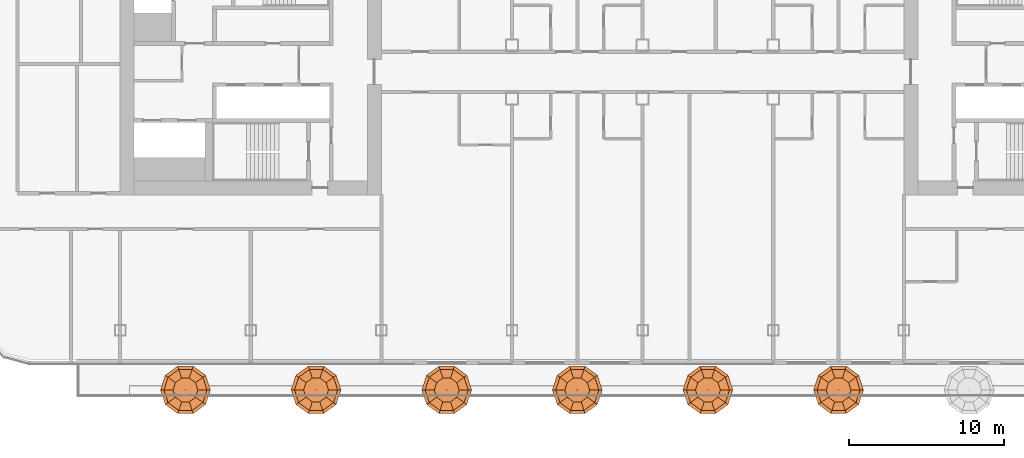
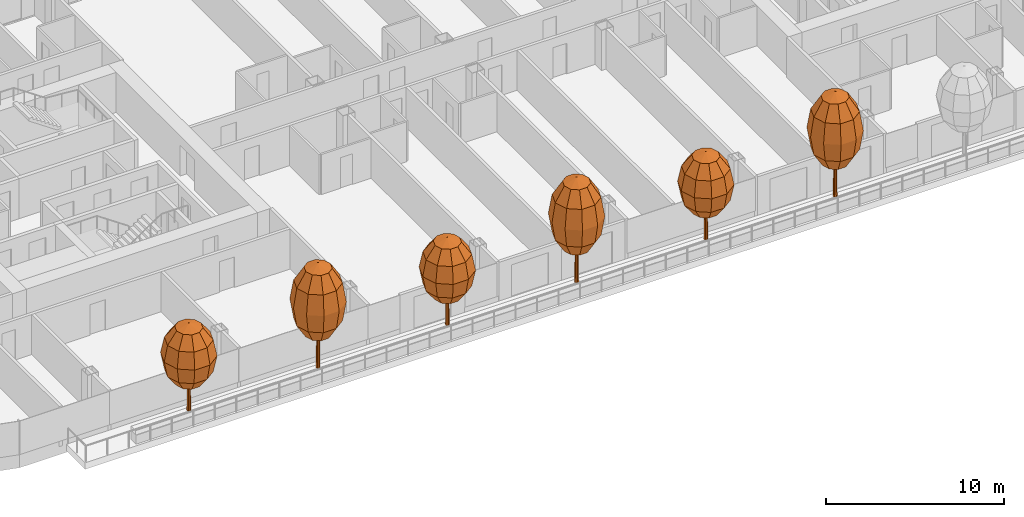
# One storey, part 28 of 30: 6 geographic elements.
"""IFC4 building model written with IfcOpenShell, lengths in metres."""

from ifc_helpers import new_model, si_unit, direction, frame, origin, place, context, subcontext, project, spatial, triangles, material, type_object, element, save


model = new_model("IFC4")

# Units and contexts
model_context = context("Model", 3, precision=1e-05, world=origin(), true_north=direction((0.0, 1.0)))
body_context = subcontext(model_context, "Body", "Model", "MODEL_VIEW")
ifc_project = project(units=[si_unit("LENGTHUNIT", "METRE"), si_unit("AREAUNIT", "SQUARE_METRE"), si_unit("VOLUMEUNIT", "CUBIC_METRE"), si_unit("PLANEANGLEUNIT", "RADIAN"), si_unit("MASSUNIT", "GRAM", prefix="KILO")], contexts=[model_context])

# Site, building, storey
site_placement = place(None, origin())
site = spatial("IfcSite", under=ifc_project, at=site_placement, CompositionType="ELEMENT")
building_placement = place(site_placement, origin())
building = spatial("IfcBuilding", under=site, at=building_placement, Name="Hakoniwa Tower and Hamabe Station Hall", CompositionType="ELEMENT")
storey_placement = place(building_placement, frame((0.0, 0.0, 137.39990234375)))
storey = spatial("IfcBuildingStorey", under=building, at=storey_placement, Name="L38", CompositionType="ELEMENT", Elevation=137.39990234375)

# Geographic elements
ifc_material_1 = material(Name="Tree foliage")
geographic_element_type_1 = type_object("IfcGeographicElementType", Name="Japanese maple 7.2 m", PredefinedType="USERDEFINED", material=ifc_material_1)
geographic_element_1_placement = place(storey_placement, frame((-21.0, -20.949951171875, 0.900146484375)))
element("IfcGeographicElement", 1, at=geographic_element_1_placement, inside=storey, type_object=geographic_element_type_1, Name="Japanese maple 7-2 m", ObjectType="TREE", PredefinedType="USERDEFINED", context=body_context, shape_type="Tessellation", body=[
    triangles([(0.125, 0.0, 0.0), (0.08837890625, 0.08837890625, 0.0), (0.0, 0.125, 0.0), (-0.08837890625, 0.08837890625, 0.0), (-0.125, 0.0, 0.0), (-0.08837890625, -0.08837890625, 0.0), (0.0, -0.125, 0.0), (0.08837890625, -0.08837890625, 0.0), (0.074951171875, 0.0, 4.348876953125), (0.052978515625, 0.052978515625, 4.348876953125), (0.0, 0.074951171875, 4.348876953125), (-0.052978515625, 0.052978515625, 4.348876953125), (-0.074951171875, 0.0, 4.348876953125), (-0.052978515625, -0.052978515625, 4.348876953125), (0.0, -0.074951171875, 4.348876953125), (0.052978515625, -0.052978515625, 4.348876953125), (0.0, 0.0, 0.0), (0.0, 0.0, 4.348876953125)], [[1, 2, 10], [1, 10, 9], [17, 2, 1], [18, 9, 10], [2, 3, 11], [2, 11, 10], [17, 3, 2], [18, 10, 11], [3, 4, 12], [3, 12, 11], [17, 4, 3], [18, 11, 12], [4, 5, 13], [4, 13, 12], [17, 5, 4], [18, 12, 13], [5, 6, 14], [5, 14, 13], [17, 6, 5], [18, 13, 14], [6, 7, 15], [6, 15, 14], [17, 7, 6], [18, 14, 15], [7, 8, 16], [7, 16, 15], [17, 8, 7], [18, 15, 16], [8, 1, 9], [8, 9, 16], [17, 1, 8], [18, 16, 9]], closed=True),
    triangles([(0.0, 0.0, 2.015869140625), (0.800048828125, 0.0, 2.36328125), (0.647216796875, 0.47021484375, 2.36328125), (0.247314453125, 0.7607421875, 2.36328125), (-0.247314453125, 0.7607421875, 2.36328125), (-0.647216796875, 0.47021484375, 2.36328125), (-0.800048828125, 0.0, 2.36328125), (-0.647216796875, -0.47021484375, 2.36328125), (-0.247314453125, -0.7607421875, 2.36328125), (0.247314453125, -0.7607421875, 2.36328125), (0.647216796875, -0.47021484375, 2.36328125), (1.385498046875, 0.0, 3.31201171875), (1.12109375, 0.814453125, 3.31201171875), (0.42822265625, 1.31787109375, 3.31201171875), (-0.42822265625, 1.31787109375, 3.31201171875), (-1.12109375, 0.814453125, 3.31201171875), (-1.385498046875, 0.0, 3.31201171875), (-1.12109375, -0.814453125, 3.31201171875), (-0.42822265625, -1.31787109375, 3.31201171875), (0.42822265625, -1.31787109375, 3.31201171875), (1.12109375, -0.814453125, 3.31201171875), (1.60009765625, 0.0, 4.60791015625), (1.29443359375, 0.9404296875, 4.60791015625), (0.494384765625, 1.521728515625, 4.60791015625), (-0.494384765625, 1.521728515625, 4.60791015625), (-1.29443359375, 0.9404296875, 4.60791015625), (-1.60009765625, 0.0, 4.60791015625), (-1.29443359375, -0.9404296875, 4.60791015625), (-0.494384765625, -1.521728515625, 4.60791015625), (0.494384765625, -1.521728515625, 4.60791015625), (1.29443359375, -0.9404296875, 4.60791015625), (1.385498046875, 0.0, 5.904052734375), (1.12109375, 0.814453125, 5.904052734375), (0.42822265625, 1.31787109375, 5.904052734375), (-0.42822265625, 1.31787109375, 5.904052734375), (-1.12109375, 0.814453125, 5.904052734375), (-1.385498046875, 0.0, 5.904052734375), (-1.12109375, -0.814453125, 5.904052734375), (-0.42822265625, -1.31787109375, 5.904052734375), (0.42822265625, -1.31787109375, 5.904052734375), (1.12109375, -0.814453125, 5.904052734375), (0.800048828125, 0.0, 6.852783203125), (0.647216796875, 0.47021484375, 6.852783203125), (0.247314453125, 0.7607421875, 6.852783203125), (-0.247314453125, 0.7607421875, 6.852783203125), (-0.647216796875, 0.47021484375, 6.852783203125), (-0.800048828125, 0.0, 6.852783203125), (-0.647216796875, -0.47021484375, 6.852783203125), (-0.247314453125, -0.7607421875, 6.852783203125), (0.247314453125, -0.7607421875, 6.852783203125), (0.647216796875, -0.47021484375, 6.852783203125), (0.0, 0.0, 7.199951171875)], [[1, 3, 2], [1, 4, 3], [1, 5, 4], [1, 6, 5], [1, 7, 6], [1, 8, 7], [1, 9, 8], [1, 10, 9], [1, 11, 10], [1, 2, 11], [2, 3, 13], [2, 13, 12], [3, 4, 14], [3, 14, 13], [4, 5, 15], [4, 15, 14], [5, 6, 16], [5, 16, 15], [6, 7, 17], [6, 17, 16], [7, 8, 18], [7, 18, 17], [8, 9, 19], [8, 19, 18], [9, 10, 20], [9, 20, 19], [10, 11, 21], [10, 21, 20], [11, 2, 12], [11, 12, 21], [12, 13, 23], [12, 23, 22], [13, 14, 24], [13, 24, 23], [14, 15, 25], [14, 25, 24], [15, 16, 26], [15, 26, 25], [16, 17, 27], [16, 27, 26], [17, 18, 28], [17, 28, 27], [18, 19, 29], [18, 29, 28], [19, 20, 30], [19, 30, 29], [20, 21, 31], [20, 31, 30], [21, 12, 22], [21, 22, 31], [22, 23, 33], [22, 33, 32], [23, 24, 34], [23, 34, 33], [24, 25, 35], [24, 35, 34], [25, 26, 36], [25, 36, 35], [26, 27, 37], [26, 37, 36], [27, 28, 38], [27, 38, 37], [28, 29, 39], [28, 39, 38], [29, 30, 40], [29, 40, 39], [30, 31, 41], [30, 41, 40], [31, 22, 32], [31, 32, 41], [32, 33, 43], [32, 43, 42], [33, 34, 44], [33, 44, 43], [34, 35, 45], [34, 45, 44], [35, 36, 46], [35, 46, 45], [36, 37, 47], [36, 47, 46], [37, 38, 48], [37, 48, 47], [38, 39, 49], [38, 49, 48], [39, 40, 50], [39, 50, 49], [40, 41, 51], [40, 51, 50], [41, 32, 42], [41, 42, 51], [52, 42, 43], [52, 43, 44], [52, 44, 45], [52, 45, 46], [52, 46, 47], [52, 47, 48], [52, 48, 49], [52, 49, 50], [52, 50, 51], [52, 51, 42]], closed=True),
])
geographic_element_2_placement = place(storey_placement, frame((-4.199951171875, -20.949951171875, 0.900146484375)))
element("IfcGeographicElement", 2, at=geographic_element_2_placement, inside=storey, type_object=geographic_element_type_1, Name="Japanese maple 7-2 m", ObjectType="TREE", PredefinedType="USERDEFINED", context=body_context, shape_type="Tessellation", body=[
    triangles([(0.125, 0.0, 0.0), (0.08837890625, 0.08837890625, 0.0), (0.0, 0.125, 0.0), (-0.08837890625, 0.08837890625, 0.0), (-0.125, 0.0, 0.0), (-0.08837890625, -0.08837890625, 0.0), (0.0, -0.125, 0.0), (0.08837890625, -0.08837890625, 0.0), (0.074951171875, 0.0, 4.348876953125), (0.052978515625, 0.052978515625, 4.348876953125), (0.0, 0.074951171875, 4.348876953125), (-0.052978515625, 0.052978515625, 4.348876953125), (-0.074951171875, 0.0, 4.348876953125), (-0.052978515625, -0.052978515625, 4.348876953125), (0.0, -0.074951171875, 4.348876953125), (0.052978515625, -0.052978515625, 4.348876953125), (0.0, 0.0, 0.0), (0.0, 0.0, 4.348876953125)], [[1, 2, 10], [1, 10, 9], [17, 2, 1], [18, 9, 10], [2, 3, 11], [2, 11, 10], [17, 3, 2], [18, 10, 11], [3, 4, 12], [3, 12, 11], [17, 4, 3], [18, 11, 12], [4, 5, 13], [4, 13, 12], [17, 5, 4], [18, 12, 13], [5, 6, 14], [5, 14, 13], [17, 6, 5], [18, 13, 14], [6, 7, 15], [6, 15, 14], [17, 7, 6], [18, 14, 15], [7, 8, 16], [7, 16, 15], [17, 8, 7], [18, 15, 16], [8, 1, 9], [8, 9, 16], [17, 1, 8], [18, 16, 9]], closed=True),
    triangles([(0.0, 0.0, 2.015869140625), (0.800048828125, 0.0, 2.36328125), (0.647216796875, 0.47021484375, 2.36328125), (0.247314453125, 0.7607421875, 2.36328125), (-0.247314453125, 0.7607421875, 2.36328125), (-0.647216796875, 0.47021484375, 2.36328125), (-0.800048828125, 0.0, 2.36328125), (-0.647216796875, -0.47021484375, 2.36328125), (-0.247314453125, -0.7607421875, 2.36328125), (0.247314453125, -0.7607421875, 2.36328125), (0.647216796875, -0.47021484375, 2.36328125), (1.385498046875, 0.0, 3.31201171875), (1.12109375, 0.814453125, 3.31201171875), (0.42822265625, 1.31787109375, 3.31201171875), (-0.42822265625, 1.31787109375, 3.31201171875), (-1.12109375, 0.814453125, 3.31201171875), (-1.385498046875, 0.0, 3.31201171875), (-1.12109375, -0.814453125, 3.31201171875), (-0.42822265625, -1.31787109375, 3.31201171875), (0.42822265625, -1.31787109375, 3.31201171875), (1.12109375, -0.814453125, 3.31201171875), (1.60009765625, 0.0, 4.60791015625), (1.29443359375, 0.9404296875, 4.60791015625), (0.494384765625, 1.521728515625, 4.60791015625), (-0.494384765625, 1.521728515625, 4.60791015625), (-1.29443359375, 0.9404296875, 4.60791015625), (-1.60009765625, 0.0, 4.60791015625), (-1.29443359375, -0.9404296875, 4.60791015625), (-0.494384765625, -1.521728515625, 4.60791015625), (0.494384765625, -1.521728515625, 4.60791015625), (1.29443359375, -0.9404296875, 4.60791015625), (1.385498046875, 0.0, 5.904052734375), (1.12109375, 0.814453125, 5.904052734375), (0.42822265625, 1.31787109375, 5.904052734375), (-0.42822265625, 1.31787109375, 5.904052734375), (-1.12109375, 0.814453125, 5.904052734375), (-1.385498046875, 0.0, 5.904052734375), (-1.12109375, -0.814453125, 5.904052734375), (-0.42822265625, -1.31787109375, 5.904052734375), (0.42822265625, -1.31787109375, 5.904052734375), (1.12109375, -0.814453125, 5.904052734375), (0.800048828125, 0.0, 6.852783203125), (0.647216796875, 0.47021484375, 6.852783203125), (0.247314453125, 0.7607421875, 6.852783203125), (-0.247314453125, 0.7607421875, 6.852783203125), (-0.647216796875, 0.47021484375, 6.852783203125), (-0.800048828125, 0.0, 6.852783203125), (-0.647216796875, -0.47021484375, 6.852783203125), (-0.247314453125, -0.7607421875, 6.852783203125), (0.247314453125, -0.7607421875, 6.852783203125), (0.647216796875, -0.47021484375, 6.852783203125), (0.0, 0.0, 7.199951171875)], [[1, 3, 2], [1, 4, 3], [1, 5, 4], [1, 6, 5], [1, 7, 6], [1, 8, 7], [1, 9, 8], [1, 10, 9], [1, 11, 10], [1, 2, 11], [2, 3, 13], [2, 13, 12], [3, 4, 14], [3, 14, 13], [4, 5, 15], [4, 15, 14], [5, 6, 16], [5, 16, 15], [6, 7, 17], [6, 17, 16], [7, 8, 18], [7, 18, 17], [8, 9, 19], [8, 19, 18], [9, 10, 20], [9, 20, 19], [10, 11, 21], [10, 21, 20], [11, 2, 12], [11, 12, 21], [12, 13, 23], [12, 23, 22], [13, 14, 24], [13, 24, 23], [14, 15, 25], [14, 25, 24], [15, 16, 26], [15, 26, 25], [16, 17, 27], [16, 27, 26], [17, 18, 28], [17, 28, 27], [18, 19, 29], [18, 29, 28], [19, 20, 30], [19, 30, 29], [20, 21, 31], [20, 31, 30], [21, 12, 22], [21, 22, 31], [22, 23, 33], [22, 33, 32], [23, 24, 34], [23, 34, 33], [24, 25, 35], [24, 35, 34], [25, 26, 36], [25, 36, 35], [26, 27, 37], [26, 37, 36], [27, 28, 38], [27, 38, 37], [28, 29, 39], [28, 39, 38], [29, 30, 40], [29, 40, 39], [30, 31, 41], [30, 41, 40], [31, 22, 32], [31, 32, 41], [32, 33, 43], [32, 43, 42], [33, 34, 44], [33, 44, 43], [34, 35, 45], [34, 45, 44], [35, 36, 46], [35, 46, 45], [36, 37, 47], [36, 47, 46], [37, 38, 48], [37, 48, 47], [38, 39, 49], [38, 49, 48], [39, 40, 50], [39, 50, 49], [40, 41, 51], [40, 51, 50], [41, 32, 42], [41, 42, 51], [52, 42, 43], [52, 43, 44], [52, 44, 45], [52, 45, 46], [52, 46, 47], [52, 47, 48], [52, 48, 49], [52, 49, 50], [52, 50, 51], [52, 51, 42]], closed=True),
])
geographic_element_3_placement = place(storey_placement, frame((12.60009765625, -20.949951171875, 0.900146484375)))
element("IfcGeographicElement", 3, at=geographic_element_3_placement, inside=storey, type_object=geographic_element_type_1, Name="Japanese maple 7-2 m", ObjectType="TREE", PredefinedType="USERDEFINED", context=body_context, shape_type="Tessellation", body=[
    triangles([(0.125, 0.0, 0.0), (0.08837890625, 0.08837890625, 0.0), (0.0, 0.125, 0.0), (-0.08837890625, 0.08837890625, 0.0), (-0.125, 0.0, 0.0), (-0.08837890625, -0.08837890625, 0.0), (0.0, -0.125, 0.0), (0.08837890625, -0.08837890625, 0.0), (0.074951171875, 0.0, 4.348876953125), (0.052978515625, 0.052978515625, 4.348876953125), (0.0, 0.074951171875, 4.348876953125), (-0.052978515625, 0.052978515625, 4.348876953125), (-0.074951171875, 0.0, 4.348876953125), (-0.052978515625, -0.052978515625, 4.348876953125), (0.0, -0.074951171875, 4.348876953125), (0.052978515625, -0.052978515625, 4.348876953125), (0.0, 0.0, 0.0), (0.0, 0.0, 4.348876953125)], [[1, 2, 10], [1, 10, 9], [17, 2, 1], [18, 9, 10], [2, 3, 11], [2, 11, 10], [17, 3, 2], [18, 10, 11], [3, 4, 12], [3, 12, 11], [17, 4, 3], [18, 11, 12], [4, 5, 13], [4, 13, 12], [17, 5, 4], [18, 12, 13], [5, 6, 14], [5, 14, 13], [17, 6, 5], [18, 13, 14], [6, 7, 15], [6, 15, 14], [17, 7, 6], [18, 14, 15], [7, 8, 16], [7, 16, 15], [17, 8, 7], [18, 15, 16], [8, 1, 9], [8, 9, 16], [17, 1, 8], [18, 16, 9]], closed=True),
    triangles([(0.0, 0.0, 2.015869140625), (0.800048828125, 0.0, 2.36328125), (0.647216796875, 0.47021484375, 2.36328125), (0.247314453125, 0.7607421875, 2.36328125), (-0.247314453125, 0.7607421875, 2.36328125), (-0.647216796875, 0.47021484375, 2.36328125), (-0.800048828125, 0.0, 2.36328125), (-0.647216796875, -0.47021484375, 2.36328125), (-0.247314453125, -0.7607421875, 2.36328125), (0.247314453125, -0.7607421875, 2.36328125), (0.647216796875, -0.47021484375, 2.36328125), (1.385498046875, 0.0, 3.31201171875), (1.12109375, 0.814453125, 3.31201171875), (0.42822265625, 1.31787109375, 3.31201171875), (-0.42822265625, 1.31787109375, 3.31201171875), (-1.12109375, 0.814453125, 3.31201171875), (-1.385498046875, 0.0, 3.31201171875), (-1.12109375, -0.814453125, 3.31201171875), (-0.42822265625, -1.31787109375, 3.31201171875), (0.42822265625, -1.31787109375, 3.31201171875), (1.12109375, -0.814453125, 3.31201171875), (1.60009765625, 0.0, 4.60791015625), (1.29443359375, 0.9404296875, 4.60791015625), (0.494384765625, 1.521728515625, 4.60791015625), (-0.494384765625, 1.521728515625, 4.60791015625), (-1.29443359375, 0.9404296875, 4.60791015625), (-1.60009765625, 0.0, 4.60791015625), (-1.29443359375, -0.9404296875, 4.60791015625), (-0.494384765625, -1.521728515625, 4.60791015625), (0.494384765625, -1.521728515625, 4.60791015625), (1.29443359375, -0.9404296875, 4.60791015625), (1.385498046875, 0.0, 5.904052734375), (1.12109375, 0.814453125, 5.904052734375), (0.42822265625, 1.31787109375, 5.904052734375), (-0.42822265625, 1.31787109375, 5.904052734375), (-1.12109375, 0.814453125, 5.904052734375), (-1.385498046875, 0.0, 5.904052734375), (-1.12109375, -0.814453125, 5.904052734375), (-0.42822265625, -1.31787109375, 5.904052734375), (0.42822265625, -1.31787109375, 5.904052734375), (1.12109375, -0.814453125, 5.904052734375), (0.800048828125, 0.0, 6.852783203125), (0.647216796875, 0.47021484375, 6.852783203125), (0.247314453125, 0.7607421875, 6.852783203125), (-0.247314453125, 0.7607421875, 6.852783203125), (-0.647216796875, 0.47021484375, 6.852783203125), (-0.800048828125, 0.0, 6.852783203125), (-0.647216796875, -0.47021484375, 6.852783203125), (-0.247314453125, -0.7607421875, 6.852783203125), (0.247314453125, -0.7607421875, 6.852783203125), (0.647216796875, -0.47021484375, 6.852783203125), (0.0, 0.0, 7.199951171875)], [[1, 3, 2], [1, 4, 3], [1, 5, 4], [1, 6, 5], [1, 7, 6], [1, 8, 7], [1, 9, 8], [1, 10, 9], [1, 11, 10], [1, 2, 11], [2, 3, 13], [2, 13, 12], [3, 4, 14], [3, 14, 13], [4, 5, 15], [4, 15, 14], [5, 6, 16], [5, 16, 15], [6, 7, 17], [6, 17, 16], [7, 8, 18], [7, 18, 17], [8, 9, 19], [8, 19, 18], [9, 10, 20], [9, 20, 19], [10, 11, 21], [10, 21, 20], [11, 2, 12], [11, 12, 21], [12, 13, 23], [12, 23, 22], [13, 14, 24], [13, 24, 23], [14, 15, 25], [14, 25, 24], [15, 16, 26], [15, 26, 25], [16, 17, 27], [16, 27, 26], [17, 18, 28], [17, 28, 27], [18, 19, 29], [18, 29, 28], [19, 20, 30], [19, 30, 29], [20, 21, 31], [20, 31, 30], [21, 12, 22], [21, 22, 31], [22, 23, 33], [22, 33, 32], [23, 24, 34], [23, 34, 33], [24, 25, 35], [24, 35, 34], [25, 26, 36], [25, 36, 35], [26, 27, 37], [26, 37, 36], [27, 28, 38], [27, 38, 37], [28, 29, 39], [28, 39, 38], [29, 30, 40], [29, 40, 39], [30, 31, 41], [30, 41, 40], [31, 22, 32], [31, 32, 41], [32, 33, 43], [32, 43, 42], [33, 34, 44], [33, 44, 43], [34, 35, 45], [34, 45, 44], [35, 36, 46], [35, 46, 45], [36, 37, 47], [36, 47, 46], [37, 38, 48], [37, 48, 47], [38, 39, 49], [38, 49, 48], [39, 40, 50], [39, 50, 49], [40, 41, 51], [40, 51, 50], [41, 32, 42], [41, 42, 51], [52, 42, 43], [52, 43, 44], [52, 44, 45], [52, 45, 46], [52, 46, 47], [52, 47, 48], [52, 48, 49], [52, 49, 50], [52, 50, 51], [52, 51, 42]], closed=True),
])
ifc_material_2 = material(Name="Tree foliage")
geographic_element_type_2 = type_object("IfcGeographicElementType", Name="Osmanthus 6.0 m", PredefinedType="USERDEFINED", material=ifc_material_2)
geographic_element_4_placement = place(storey_placement, frame((-29.39990234375, -20.949951171875, 0.900146484375)))
element("IfcGeographicElement", 4, at=geographic_element_4_placement, inside=storey, type_object=geographic_element_type_2, Name="Osmanthus 6-0 m", ObjectType="TREE", PredefinedType="USERDEFINED", context=body_context, shape_type="Tessellation", body=[
    triangles([(0.125, 0.0, 0.0), (0.08837890625, 0.08837890625, 0.0), (0.0, 0.125, 0.0), (-0.08837890625, 0.08837890625, 0.0), (-0.125, 0.0, 0.0), (-0.08837890625, -0.08837890625, 0.0), (0.0, -0.125, 0.0), (0.08837890625, -0.08837890625, 0.0), (0.074951171875, 0.0, 3.6240234375), (0.052978515625, 0.052978515625, 3.6240234375), (0.0, 0.074951171875, 3.6240234375), (-0.052978515625, 0.052978515625, 3.6240234375), (-0.074951171875, 0.0, 3.6240234375), (-0.052978515625, -0.052978515625, 3.6240234375), (0.0, -0.074951171875, 3.6240234375), (0.052978515625, -0.052978515625, 3.6240234375), (0.0, 0.0, 0.0), (0.0, 0.0, 3.6240234375)], [[1, 2, 10], [1, 10, 9], [17, 2, 1], [18, 9, 10], [2, 3, 11], [2, 11, 10], [17, 3, 2], [18, 10, 11], [3, 4, 12], [3, 12, 11], [17, 4, 3], [18, 11, 12], [4, 5, 13], [4, 13, 12], [17, 5, 4], [18, 12, 13], [5, 6, 14], [5, 14, 13], [17, 6, 5], [18, 13, 14], [6, 7, 15], [6, 15, 14], [17, 7, 6], [18, 14, 15], [7, 8, 16], [7, 16, 15], [17, 8, 7], [18, 15, 16], [8, 1, 9], [8, 9, 16], [17, 1, 8], [18, 16, 9]], closed=True),
    triangles([(0.0, 0.0, 1.679931640625), (0.800048828125, 0.0, 1.969482421875), (0.647216796875, 0.47021484375, 1.969482421875), (0.247314453125, 0.7607421875, 1.969482421875), (-0.247314453125, 0.7607421875, 1.969482421875), (-0.647216796875, 0.47021484375, 1.969482421875), (-0.800048828125, 0.0, 1.969482421875), (-0.647216796875, -0.47021484375, 1.969482421875), (-0.247314453125, -0.7607421875, 1.969482421875), (0.247314453125, -0.7607421875, 1.969482421875), (0.647216796875, -0.47021484375, 1.969482421875), (1.385498046875, 0.0, 2.760009765625), (1.12109375, 0.814453125, 2.760009765625), (0.42822265625, 1.31787109375, 2.760009765625), (-0.42822265625, 1.31787109375, 2.760009765625), (-1.12109375, 0.814453125, 2.760009765625), (-1.385498046875, 0.0, 2.760009765625), (-1.12109375, -0.814453125, 2.760009765625), (-0.42822265625, -1.31787109375, 2.760009765625), (0.42822265625, -1.31787109375, 2.760009765625), (1.12109375, -0.814453125, 2.760009765625), (1.60009765625, 0.0, 3.840087890625), (1.29443359375, 0.9404296875, 3.840087890625), (0.494384765625, 1.521728515625, 3.840087890625), (-0.494384765625, 1.521728515625, 3.840087890625), (-1.29443359375, 0.9404296875, 3.840087890625), (-1.60009765625, 0.0, 3.840087890625), (-1.29443359375, -0.9404296875, 3.840087890625), (-0.494384765625, -1.521728515625, 3.840087890625), (0.494384765625, -1.521728515625, 3.840087890625), (1.29443359375, -0.9404296875, 3.840087890625), (1.385498046875, 0.0, 4.919921875), (1.12109375, 0.814453125, 4.919921875), (0.42822265625, 1.31787109375, 4.919921875), (-0.42822265625, 1.31787109375, 4.919921875), (-1.12109375, 0.814453125, 4.919921875), (-1.385498046875, 0.0, 4.919921875), (-1.12109375, -0.814453125, 4.919921875), (-0.42822265625, -1.31787109375, 4.919921875), (0.42822265625, -1.31787109375, 4.919921875), (1.12109375, -0.814453125, 4.919921875), (0.800048828125, 0.0, 5.710693359375), (0.647216796875, 0.47021484375, 5.710693359375), (0.247314453125, 0.7607421875, 5.710693359375), (-0.247314453125, 0.7607421875, 5.710693359375), (-0.647216796875, 0.47021484375, 5.710693359375), (-0.800048828125, 0.0, 5.710693359375), (-0.647216796875, -0.47021484375, 5.710693359375), (-0.247314453125, -0.7607421875, 5.710693359375), (0.247314453125, -0.7607421875, 5.710693359375), (0.647216796875, -0.47021484375, 5.710693359375), (0.0, 0.0, 6.0)], [[1, 3, 2], [1, 4, 3], [1, 5, 4], [1, 6, 5], [1, 7, 6], [1, 8, 7], [1, 9, 8], [1, 10, 9], [1, 11, 10], [1, 2, 11], [2, 3, 13], [2, 13, 12], [3, 4, 14], [3, 14, 13], [4, 5, 15], [4, 15, 14], [5, 6, 16], [5, 16, 15], [6, 7, 17], [6, 17, 16], [7, 8, 18], [7, 18, 17], [8, 9, 19], [8, 19, 18], [9, 10, 20], [9, 20, 19], [10, 11, 21], [10, 21, 20], [11, 2, 12], [11, 12, 21], [12, 13, 23], [12, 23, 22], [13, 14, 24], [13, 24, 23], [14, 15, 25], [14, 25, 24], [15, 16, 26], [15, 26, 25], [16, 17, 27], [16, 27, 26], [17, 18, 28], [17, 28, 27], [18, 19, 29], [18, 29, 28], [19, 20, 30], [19, 30, 29], [20, 21, 31], [20, 31, 30], [21, 12, 22], [21, 22, 31], [22, 23, 33], [22, 33, 32], [23, 24, 34], [23, 34, 33], [24, 25, 35], [24, 35, 34], [25, 26, 36], [25, 36, 35], [26, 27, 37], [26, 37, 36], [27, 28, 38], [27, 38, 37], [28, 29, 39], [28, 39, 38], [29, 30, 40], [29, 40, 39], [30, 31, 41], [30, 41, 40], [31, 22, 32], [31, 32, 41], [32, 33, 43], [32, 43, 42], [33, 34, 44], [33, 44, 43], [34, 35, 45], [34, 45, 44], [35, 36, 46], [35, 46, 45], [36, 37, 47], [36, 47, 46], [37, 38, 48], [37, 48, 47], [38, 39, 49], [38, 49, 48], [39, 40, 50], [39, 50, 49], [40, 41, 51], [40, 51, 50], [41, 32, 42], [41, 42, 51], [52, 42, 43], [52, 43, 44], [52, 44, 45], [52, 45, 46], [52, 46, 47], [52, 47, 48], [52, 48, 49], [52, 49, 50], [52, 50, 51], [52, 51, 42]], closed=True),
])
geographic_element_5_placement = place(storey_placement, frame((-12.60009765625, -20.949951171875, 0.900146484375)))
element("IfcGeographicElement", 5, at=geographic_element_5_placement, inside=storey, type_object=geographic_element_type_2, Name="Osmanthus 6-0 m", ObjectType="TREE", PredefinedType="USERDEFINED", context=body_context, shape_type="Tessellation", body=[
    triangles([(0.125, 0.0, 0.0), (0.08837890625, 0.08837890625, 0.0), (0.0, 0.125, 0.0), (-0.08837890625, 0.08837890625, 0.0), (-0.125, 0.0, 0.0), (-0.08837890625, -0.08837890625, 0.0), (0.0, -0.125, 0.0), (0.08837890625, -0.08837890625, 0.0), (0.074951171875, 0.0, 3.6240234375), (0.052978515625, 0.052978515625, 3.6240234375), (0.0, 0.074951171875, 3.6240234375), (-0.052978515625, 0.052978515625, 3.6240234375), (-0.074951171875, 0.0, 3.6240234375), (-0.052978515625, -0.052978515625, 3.6240234375), (0.0, -0.074951171875, 3.6240234375), (0.052978515625, -0.052978515625, 3.6240234375), (0.0, 0.0, 0.0), (0.0, 0.0, 3.6240234375)], [[1, 2, 10], [1, 10, 9], [17, 2, 1], [18, 9, 10], [2, 3, 11], [2, 11, 10], [17, 3, 2], [18, 10, 11], [3, 4, 12], [3, 12, 11], [17, 4, 3], [18, 11, 12], [4, 5, 13], [4, 13, 12], [17, 5, 4], [18, 12, 13], [5, 6, 14], [5, 14, 13], [17, 6, 5], [18, 13, 14], [6, 7, 15], [6, 15, 14], [17, 7, 6], [18, 14, 15], [7, 8, 16], [7, 16, 15], [17, 8, 7], [18, 15, 16], [8, 1, 9], [8, 9, 16], [17, 1, 8], [18, 16, 9]], closed=True),
    triangles([(0.0, 0.0, 1.679931640625), (0.800048828125, 0.0, 1.969482421875), (0.647216796875, 0.47021484375, 1.969482421875), (0.247314453125, 0.7607421875, 1.969482421875), (-0.247314453125, 0.7607421875, 1.969482421875), (-0.647216796875, 0.47021484375, 1.969482421875), (-0.800048828125, 0.0, 1.969482421875), (-0.647216796875, -0.47021484375, 1.969482421875), (-0.247314453125, -0.7607421875, 1.969482421875), (0.247314453125, -0.7607421875, 1.969482421875), (0.647216796875, -0.47021484375, 1.969482421875), (1.385498046875, 0.0, 2.760009765625), (1.12109375, 0.814453125, 2.760009765625), (0.42822265625, 1.31787109375, 2.760009765625), (-0.42822265625, 1.31787109375, 2.760009765625), (-1.12109375, 0.814453125, 2.760009765625), (-1.385498046875, 0.0, 2.760009765625), (-1.12109375, -0.814453125, 2.760009765625), (-0.42822265625, -1.31787109375, 2.760009765625), (0.42822265625, -1.31787109375, 2.760009765625), (1.12109375, -0.814453125, 2.760009765625), (1.60009765625, 0.0, 3.840087890625), (1.29443359375, 0.9404296875, 3.840087890625), (0.494384765625, 1.521728515625, 3.840087890625), (-0.494384765625, 1.521728515625, 3.840087890625), (-1.29443359375, 0.9404296875, 3.840087890625), (-1.60009765625, 0.0, 3.840087890625), (-1.29443359375, -0.9404296875, 3.840087890625), (-0.494384765625, -1.521728515625, 3.840087890625), (0.494384765625, -1.521728515625, 3.840087890625), (1.29443359375, -0.9404296875, 3.840087890625), (1.385498046875, 0.0, 4.919921875), (1.12109375, 0.814453125, 4.919921875), (0.42822265625, 1.31787109375, 4.919921875), (-0.42822265625, 1.31787109375, 4.919921875), (-1.12109375, 0.814453125, 4.919921875), (-1.385498046875, 0.0, 4.919921875), (-1.12109375, -0.814453125, 4.919921875), (-0.42822265625, -1.31787109375, 4.919921875), (0.42822265625, -1.31787109375, 4.919921875), (1.12109375, -0.814453125, 4.919921875), (0.800048828125, 0.0, 5.710693359375), (0.647216796875, 0.47021484375, 5.710693359375), (0.247314453125, 0.7607421875, 5.710693359375), (-0.247314453125, 0.7607421875, 5.710693359375), (-0.647216796875, 0.47021484375, 5.710693359375), (-0.800048828125, 0.0, 5.710693359375), (-0.647216796875, -0.47021484375, 5.710693359375), (-0.247314453125, -0.7607421875, 5.710693359375), (0.247314453125, -0.7607421875, 5.710693359375), (0.647216796875, -0.47021484375, 5.710693359375), (0.0, 0.0, 6.0)], [[1, 3, 2], [1, 4, 3], [1, 5, 4], [1, 6, 5], [1, 7, 6], [1, 8, 7], [1, 9, 8], [1, 10, 9], [1, 11, 10], [1, 2, 11], [2, 3, 13], [2, 13, 12], [3, 4, 14], [3, 14, 13], [4, 5, 15], [4, 15, 14], [5, 6, 16], [5, 16, 15], [6, 7, 17], [6, 17, 16], [7, 8, 18], [7, 18, 17], [8, 9, 19], [8, 19, 18], [9, 10, 20], [9, 20, 19], [10, 11, 21], [10, 21, 20], [11, 2, 12], [11, 12, 21], [12, 13, 23], [12, 23, 22], [13, 14, 24], [13, 24, 23], [14, 15, 25], [14, 25, 24], [15, 16, 26], [15, 26, 25], [16, 17, 27], [16, 27, 26], [17, 18, 28], [17, 28, 27], [18, 19, 29], [18, 29, 28], [19, 20, 30], [19, 30, 29], [20, 21, 31], [20, 31, 30], [21, 12, 22], [21, 22, 31], [22, 23, 33], [22, 33, 32], [23, 24, 34], [23, 34, 33], [24, 25, 35], [24, 35, 34], [25, 26, 36], [25, 36, 35], [26, 27, 37], [26, 37, 36], [27, 28, 38], [27, 38, 37], [28, 29, 39], [28, 39, 38], [29, 30, 40], [29, 40, 39], [30, 31, 41], [30, 41, 40], [31, 22, 32], [31, 32, 41], [32, 33, 43], [32, 43, 42], [33, 34, 44], [33, 44, 43], [34, 35, 45], [34, 45, 44], [35, 36, 46], [35, 46, 45], [36, 37, 47], [36, 47, 46], [37, 38, 48], [37, 48, 47], [38, 39, 49], [38, 49, 48], [39, 40, 50], [39, 50, 49], [40, 41, 51], [40, 51, 50], [41, 32, 42], [41, 42, 51], [52, 42, 43], [52, 43, 44], [52, 44, 45], [52, 45, 46], [52, 46, 47], [52, 47, 48], [52, 48, 49], [52, 49, 50], [52, 50, 51], [52, 51, 42]], closed=True),
])
geographic_element_6_placement = place(storey_placement, frame((4.199951171875, -20.949951171875, 0.900146484375)))
element("IfcGeographicElement", 6, at=geographic_element_6_placement, inside=storey, type_object=geographic_element_type_2, Name="Osmanthus 6-0 m", ObjectType="TREE", PredefinedType="USERDEFINED", context=body_context, shape_type="Tessellation", body=[
    triangles([(0.125, 0.0, 0.0), (0.08837890625, 0.08837890625, 0.0), (0.0, 0.125, 0.0), (-0.08837890625, 0.08837890625, 0.0), (-0.125, 0.0, 0.0), (-0.08837890625, -0.08837890625, 0.0), (0.0, -0.125, 0.0), (0.08837890625, -0.08837890625, 0.0), (0.074951171875, 0.0, 3.6240234375), (0.052978515625, 0.052978515625, 3.6240234375), (0.0, 0.074951171875, 3.6240234375), (-0.052978515625, 0.052978515625, 3.6240234375), (-0.074951171875, 0.0, 3.6240234375), (-0.052978515625, -0.052978515625, 3.6240234375), (0.0, -0.074951171875, 3.6240234375), (0.052978515625, -0.052978515625, 3.6240234375), (0.0, 0.0, 0.0), (0.0, 0.0, 3.6240234375)], [[1, 2, 10], [1, 10, 9], [17, 2, 1], [18, 9, 10], [2, 3, 11], [2, 11, 10], [17, 3, 2], [18, 10, 11], [3, 4, 12], [3, 12, 11], [17, 4, 3], [18, 11, 12], [4, 5, 13], [4, 13, 12], [17, 5, 4], [18, 12, 13], [5, 6, 14], [5, 14, 13], [17, 6, 5], [18, 13, 14], [6, 7, 15], [6, 15, 14], [17, 7, 6], [18, 14, 15], [7, 8, 16], [7, 16, 15], [17, 8, 7], [18, 15, 16], [8, 1, 9], [8, 9, 16], [17, 1, 8], [18, 16, 9]], closed=True),
    triangles([(0.0, 0.0, 1.679931640625), (0.800048828125, 0.0, 1.969482421875), (0.647216796875, 0.47021484375, 1.969482421875), (0.247314453125, 0.7607421875, 1.969482421875), (-0.247314453125, 0.7607421875, 1.969482421875), (-0.647216796875, 0.47021484375, 1.969482421875), (-0.800048828125, 0.0, 1.969482421875), (-0.647216796875, -0.47021484375, 1.969482421875), (-0.247314453125, -0.7607421875, 1.969482421875), (0.247314453125, -0.7607421875, 1.969482421875), (0.647216796875, -0.47021484375, 1.969482421875), (1.385498046875, 0.0, 2.760009765625), (1.12109375, 0.814453125, 2.760009765625), (0.42822265625, 1.31787109375, 2.760009765625), (-0.42822265625, 1.31787109375, 2.760009765625), (-1.12109375, 0.814453125, 2.760009765625), (-1.385498046875, 0.0, 2.760009765625), (-1.12109375, -0.814453125, 2.760009765625), (-0.42822265625, -1.31787109375, 2.760009765625), (0.42822265625, -1.31787109375, 2.760009765625), (1.12109375, -0.814453125, 2.760009765625), (1.60009765625, 0.0, 3.840087890625), (1.29443359375, 0.9404296875, 3.840087890625), (0.494384765625, 1.521728515625, 3.840087890625), (-0.494384765625, 1.521728515625, 3.840087890625), (-1.29443359375, 0.9404296875, 3.840087890625), (-1.60009765625, 0.0, 3.840087890625), (-1.29443359375, -0.9404296875, 3.840087890625), (-0.494384765625, -1.521728515625, 3.840087890625), (0.494384765625, -1.521728515625, 3.840087890625), (1.29443359375, -0.9404296875, 3.840087890625), (1.385498046875, 0.0, 4.919921875), (1.12109375, 0.814453125, 4.919921875), (0.42822265625, 1.31787109375, 4.919921875), (-0.42822265625, 1.31787109375, 4.919921875), (-1.12109375, 0.814453125, 4.919921875), (-1.385498046875, 0.0, 4.919921875), (-1.12109375, -0.814453125, 4.919921875), (-0.42822265625, -1.31787109375, 4.919921875), (0.42822265625, -1.31787109375, 4.919921875), (1.12109375, -0.814453125, 4.919921875), (0.800048828125, 0.0, 5.710693359375), (0.647216796875, 0.47021484375, 5.710693359375), (0.247314453125, 0.7607421875, 5.710693359375), (-0.247314453125, 0.7607421875, 5.710693359375), (-0.647216796875, 0.47021484375, 5.710693359375), (-0.800048828125, 0.0, 5.710693359375), (-0.647216796875, -0.47021484375, 5.710693359375), (-0.247314453125, -0.7607421875, 5.710693359375), (0.247314453125, -0.7607421875, 5.710693359375), (0.647216796875, -0.47021484375, 5.710693359375), (0.0, 0.0, 6.0)], [[1, 3, 2], [1, 4, 3], [1, 5, 4], [1, 6, 5], [1, 7, 6], [1, 8, 7], [1, 9, 8], [1, 10, 9], [1, 11, 10], [1, 2, 11], [2, 3, 13], [2, 13, 12], [3, 4, 14], [3, 14, 13], [4, 5, 15], [4, 15, 14], [5, 6, 16], [5, 16, 15], [6, 7, 17], [6, 17, 16], [7, 8, 18], [7, 18, 17], [8, 9, 19], [8, 19, 18], [9, 10, 20], [9, 20, 19], [10, 11, 21], [10, 21, 20], [11, 2, 12], [11, 12, 21], [12, 13, 23], [12, 23, 22], [13, 14, 24], [13, 24, 23], [14, 15, 25], [14, 25, 24], [15, 16, 26], [15, 26, 25], [16, 17, 27], [16, 27, 26], [17, 18, 28], [17, 28, 27], [18, 19, 29], [18, 29, 28], [19, 20, 30], [19, 30, 29], [20, 21, 31], [20, 31, 30], [21, 12, 22], [21, 22, 31], [22, 23, 33], [22, 33, 32], [23, 24, 34], [23, 34, 33], [24, 25, 35], [24, 35, 34], [25, 26, 36], [25, 36, 35], [26, 27, 37], [26, 37, 36], [27, 28, 38], [27, 38, 37], [28, 29, 39], [28, 39, 38], [29, 30, 40], [29, 40, 39], [30, 31, 41], [30, 41, 40], [31, 22, 32], [31, 32, 41], [32, 33, 43], [32, 43, 42], [33, 34, 44], [33, 44, 43], [34, 35, 45], [34, 45, 44], [35, 36, 46], [35, 46, 45], [36, 37, 47], [36, 47, 46], [37, 38, 48], [37, 48, 47], [38, 39, 49], [38, 49, 48], [39, 40, 50], [39, 50, 49], [40, 41, 51], [40, 51, 50], [41, 32, 42], [41, 42, 51], [52, 42, 43], [52, 43, 44], [52, 44, 45], [52, 45, 46], [52, 46, 47], [52, 47, 48], [52, 48, 49], [52, 49, 50], [52, 50, 51], [52, 51, 42]], closed=True),
])

save(model, "model.ifc")
